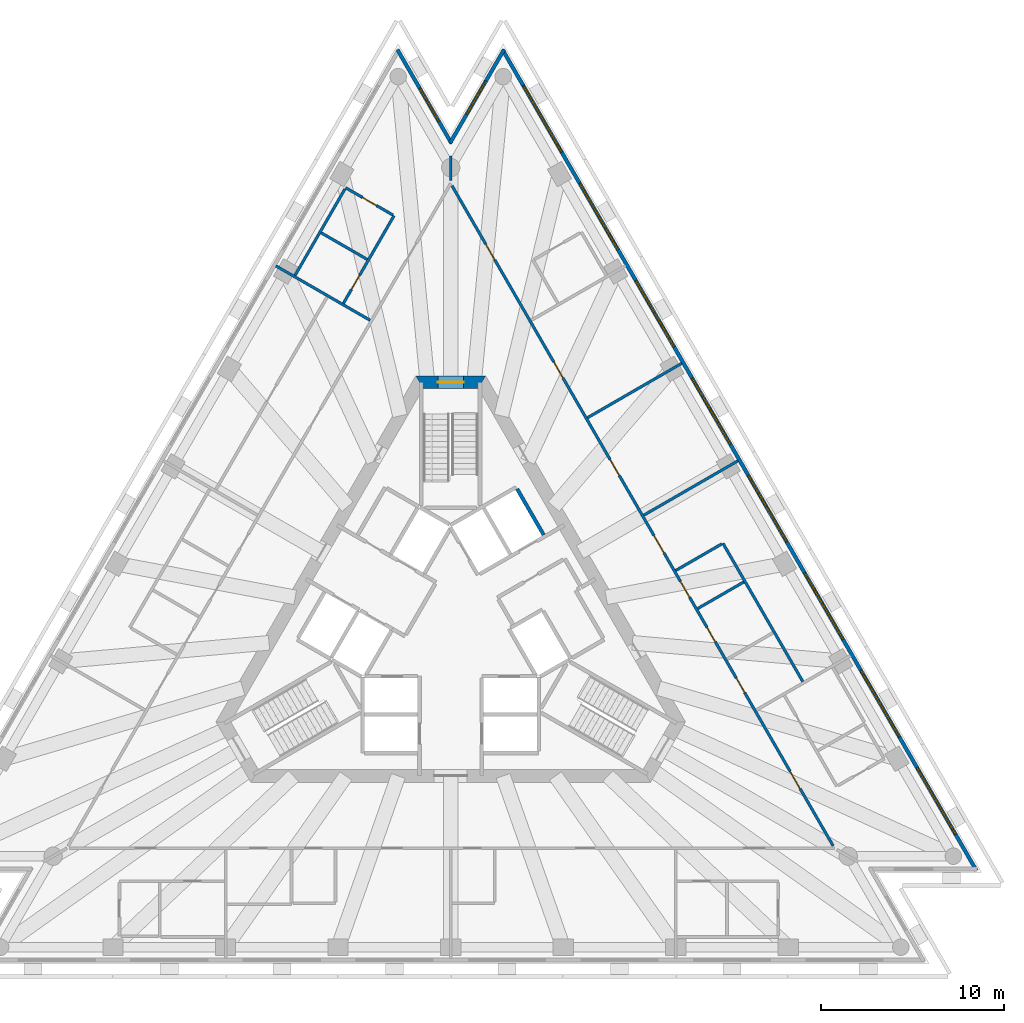
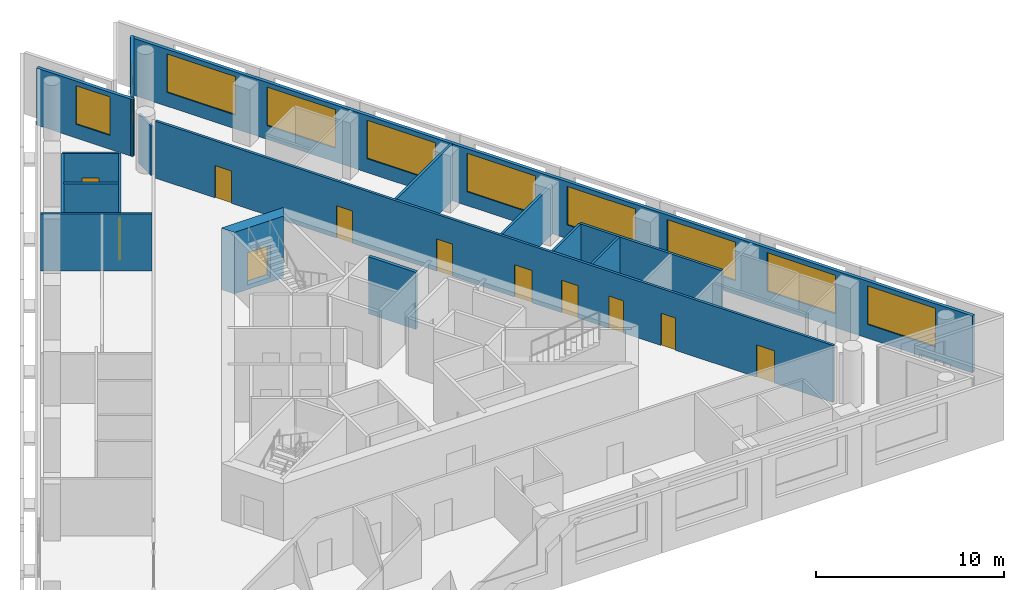
# One storey, part 6 of 9: 17 walls, 11 doors, 10 windows, 21 openings.
"""IFC4 building model written with IfcOpenShell, lengths in metres."""

from ifc_helpers import new_model, si_unit, direction, frame, frame_2d, origin, place, context, subcontext, project, spatial, polyline, rectangle, outline, extrude, material, layer, layer_set, layer_usage, type_object, element, fill, save


model = new_model("IFC4")

# Units and contexts
model_context = context("Model", 3, precision=1e-05, world=origin(), true_north=direction((0.0, 1.0)))
body_context = subcontext(model_context, "Body", "Model", "MODEL_VIEW")
ifc_project = project(units=[si_unit("LENGTHUNIT", "METRE"), si_unit("AREAUNIT", "SQUARE_METRE"), si_unit("VOLUMEUNIT", "CUBIC_METRE"), si_unit("PLANEANGLEUNIT", "RADIAN"), si_unit("MASSUNIT", "GRAM", prefix="KILO")], contexts=[model_context])

# Site, building, storey
site_placement = place(None, origin())
site = spatial("IfcSite", under=ifc_project, at=site_placement, CompositionType="ELEMENT")
building_placement = place(site_placement, origin())
building = spatial("IfcBuilding", under=site, at=building_placement, Name="Triada Interchange Tower", CompositionType="ELEMENT")
storey_placement = place(building_placement, frame((0.0, 0.0, 203.300048828125)))
storey = spatial("IfcBuildingStorey", under=building, at=storey_placement, Name="L47", CompositionType="ELEMENT", Elevation=203.300048828125)

# Wall
ifc_material_1 = material(Name="Concrete C30/37", Category="concrete")
ifc_layer_1 = layer(ifc_material_1, 0.199951171875)
ifc_layer_set_1 = layer_set([ifc_layer_1], Name="CORE WALL 200 EI 120")
wall_type_1 = type_object("IfcWallType", Name="CORE WALL 200 EI 120", PredefinedType="SOLIDWALL", material=ifc_layer_set_1)
wall_1_placement = place(storey_placement, frame((3.6259765625, 7.52001953125, 0.0), z_axis=(0.0, 0.0, 1.0), x_axis=(0.500060147554, -0.865990674793, 0.0)))
element("IfcWall", 1, at=wall_1_placement, inside=storey, type_object=wall_type_1, Name="Wall L47 71", PredefinedType="SOLIDWALL", context=body_context, shape_type="SweptSolid", body=[
    extrude(rectangle(XDim=2.899658203125, YDim=0.199951171875, at=frame_2d((1.44970703125, 0.0))), origin(), (0.0, 0.0, 1.0), 3.699951171875),
])

# Wall, opening, door
ifc_material_2 = material(Name="Concrete C50/60", Category="concrete")
ifc_layer_2 = layer(ifc_material_2, 0.699951171875)
ifc_layer_set_2 = layer_set([ifc_layer_2], Name="Core wall C 700")
wall_type_2 = type_object("IfcWallType", Name="Core wall C 700", PredefinedType="SHEAR", material=ifc_layer_set_2)
wall_2_placement = place(storey_placement, frame((1.702880859375, 13.35009765625, -0.300048828125), z_axis=(0.0, 0.0, 1.0), x_axis=(-1.0, 0.0, 0.0)))
wall_2 = element("IfcWall", 2, at=wall_2_placement, inside=storey, type_object=wall_type_2, Name="Core wall WC01 L47", PredefinedType="SHEAR", context=body_context, shape_type="SweptSolid", body=[
    extrude(outline(polyline([(-0.201904296875, -0.35009765625), (1.703125, -0.35009765625), (3.60791015625, -0.35009765625), (3.2041015625, 0.35009765625), (1.703125, 0.35009765625), (0.201904296875, 0.35009765625), (-0.201904296875, -0.35009765625)])), origin(), (0.0, 0.0, 1.0), 4.0),
])
opening_1_placement = place(wall_2_placement, frame((1.0029296875, 0.0, 0.300048828125)))
opening_1 = element("IfcOpeningElement", 3, at=opening_1_placement, cuts=wall_2, Name="Opening D47-44", PredefinedType="OPENING", context=body_context, shape_type="SweptSolid", body=[
    extrude(rectangle(XDim=1.39990234375, YDim=2.10009765625, at=frame_2d((0.699951171875, 1.050048828125))), frame((0.0, 0.360107421875, 0.0), z_axis=(0.0, -1.0, 0.0), x_axis=(1.0, 0.0, 0.0)), (0.0, 0.0, 1.0), 0.72021484375),
])
ifc_material_3 = material(Name="Steel S235 door leaf", Category="steel")
door_type_1 = type_object("IfcDoorType", Name="STAIR DOOR 1400 EI2 90-C5S200", OperationType="DOUBLE_DOOR_SINGLE_SWING", PredefinedType="DOOR", material=ifc_material_3)
door_1_placement = place(opening_1_placement, origin())
door_1 = element("IfcDoor", 4, at=door_1_placement, inside=storey, type_object=door_type_1, Name="Door D47-44 L47", OperationType="DOUBLE_DOOR_SINGLE_SWING", OverallHeight=2.10009765625, OverallWidth=1.39990234375, PredefinedType="DOOR", context=body_context, shape_type="SweptSolid", body=[
    extrude(rectangle(XDim=1.39990234375, YDim=2.10009765625, at=frame_2d((0.699951171875, 1.050048828125))), frame((0.0, 0.02490234375, 0.0), z_axis=(0.0, -1.0, 0.0), x_axis=(1.0, 0.0, 0.0)), (0.0, 0.0, 1.0), 0.050048828125),
])
fill(opening_1, door_1)

# Wall, openings, windows
ifc_material_4 = material(Name="Cement board")
ifc_layer_3 = layer(ifc_material_4, 0.02001953125, Name="Cement board cladding")
ifc_material_5 = material(Name="Sheathing board")
ifc_layer_4 = layer(ifc_material_5, 0.014892578125, Name="Sheathing board")
ifc_material_6 = material(Name="Mineral wool")
ifc_layer_5 = layer(ifc_material_6, 0.14990234375, Name="Mineral wool between steel studs")
ifc_material_7 = material(Name="Gypsum board")
ifc_layer_6 = layer(ifc_material_7, 0.014892578125, Name="Plasterboard lining")
ifc_layer_set_3 = layer_set([ifc_layer_3, ifc_layer_4, ifc_layer_5, ifc_layer_6], Name="External wall 200")
ifc_layer_usage = layer_usage(ifc_layer_set_3, "AXIS2", "POSITIVE", -0.10009765625)
wall_type_3 = type_object("IfcWallType", Name="External wall 200", PredefinedType="ELEMENTEDWALL", material=ifc_layer_set_3)
wall_3_placement = place(storey_placement, frame((28.7041015625, -13.31103515625, 0.0), z_axis=(0.0, 0.0, 1.0), x_axis=(-0.500010281129, 0.866019467891, 0.0)))
wall_3 = element("IfcWall", 5, at=wall_3_placement, inside=storey, type_object=wall_type_3, material=ifc_layer_usage, Name="External wall L47 NE", PredefinedType="ELEMENTEDWALL", context=body_context, shape_type="SweptSolid", body=[
    extrude(rectangle(XDim=51.7392578125, YDim=0.199951171875, at=frame_2d((25.86962890625, 0.0))), origin(), (0.0, 0.0, 1.0), 3.699951171875),
])
opening_2_placement = place(wall_3_placement, frame((2.27490234375, 0.0, 0.89990234375)))
opening_2 = element("IfcOpeningElement", 6, at=opening_2_placement, cuts=wall_3, Name="Opening WC21", PredefinedType="OPENING", context=body_context, shape_type="SweptSolid", body=[
    extrude(rectangle(XDim=4.199951171875, YDim=2.5, at=frame_2d((2.10009765625, 1.25))), frame((0.0, 0.10986328125, 0.0), z_axis=(0.0, -1.0, 0.0), x_axis=(1.0, 0.0, 0.0)), (0.0, 0.0, 1.0), 0.219970703125),
])
opening_3_placement = place(wall_3_placement, frame((8.4189453125, 0.0, 0.89990234375)))
opening_3 = element("IfcOpeningElement", 7, at=opening_3_placement, cuts=wall_3, Name="Opening WC22", PredefinedType="OPENING", context=body_context, shape_type="SweptSolid", body=[
    extrude(rectangle(XDim=4.199951171875, YDim=2.5, at=frame_2d((2.10009765625, 1.25))), frame((0.0, 0.10986328125, 0.0), z_axis=(0.0, -1.0, 0.0), x_axis=(1.0, 0.0, 0.0)), (0.0, 0.0, 1.0), 0.219970703125),
])
opening_4_placement = place(wall_3_placement, frame((14.56298828125, 0.0, 0.89990234375)))
opening_4 = element("IfcOpeningElement", 8, at=opening_4_placement, cuts=wall_3, Name="Opening WC23", PredefinedType="OPENING", context=body_context, shape_type="SweptSolid", body=[
    extrude(rectangle(XDim=4.199951171875, YDim=2.5, at=frame_2d((2.10009765625, 1.25))), frame((0.0, 0.10986328125, 0.0), z_axis=(0.0, -1.0, 0.0), x_axis=(1.0, 0.0, 0.0)), (0.0, 0.0, 1.0), 0.219970703125),
])
opening_5_placement = place(wall_3_placement, frame((20.70703125, 0.0, 0.89990234375)))
opening_5 = element("IfcOpeningElement", 9, at=opening_5_placement, cuts=wall_3, Name="Opening WC24", PredefinedType="OPENING", context=body_context, shape_type="SweptSolid", body=[
    extrude(rectangle(XDim=4.199951171875, YDim=2.5, at=frame_2d((2.10009765625, 1.25))), frame((0.0, 0.10986328125, 0.0), z_axis=(0.0, -1.0, 0.0), x_axis=(1.0, 0.0, 0.0)), (0.0, 0.0, 1.0), 0.219970703125),
])
opening_6_placement = place(wall_3_placement, frame((26.85205078125, 0.0, 0.89990234375)))
opening_6 = element("IfcOpeningElement", 10, at=opening_6_placement, cuts=wall_3, Name="Opening WC25", PredefinedType="OPENING", context=body_context, shape_type="SweptSolid", body=[
    extrude(rectangle(XDim=4.199951171875, YDim=2.5, at=frame_2d((2.10009765625, 1.25))), frame((0.0, 0.10986328125, 0.0), z_axis=(0.0, -1.0, 0.0), x_axis=(1.0, 0.0, 0.0)), (0.0, 0.0, 1.0), 0.219970703125),
])
opening_7_placement = place(wall_3_placement, frame((32.99609375, 0.0, 0.89990234375)))
opening_7 = element("IfcOpeningElement", 11, at=opening_7_placement, cuts=wall_3, Name="Opening WC26", PredefinedType="OPENING", context=body_context, shape_type="SweptSolid", body=[
    extrude(rectangle(XDim=4.199951171875, YDim=2.5, at=frame_2d((2.10009765625, 1.25))), frame((0.0, 0.10986328125, 0.0), z_axis=(0.0, -1.0, 0.0), x_axis=(1.0, 0.0, 0.0)), (0.0, 0.0, 1.0), 0.219970703125),
])
opening_8_placement = place(wall_3_placement, frame((39.139892578125, 0.0, 0.89990234375)))
opening_8 = element("IfcOpeningElement", 12, at=opening_8_placement, cuts=wall_3, Name="Opening WC27", PredefinedType="OPENING", context=body_context, shape_type="SweptSolid", body=[
    extrude(rectangle(XDim=4.199951171875, YDim=2.5, at=frame_2d((2.10009765625, 1.25))), frame((0.0, 0.10986328125, 0.0), z_axis=(0.0, -1.0, 0.0), x_axis=(1.0, 0.0, 0.0)), (0.0, 0.0, 1.0), 0.219970703125),
])
opening_9_placement = place(wall_3_placement, frame((45.283935546875, 0.0, 0.89990234375)))
opening_9 = element("IfcOpeningElement", 13, at=opening_9_placement, cuts=wall_3, Name="Opening WC28", PredefinedType="OPENING", context=body_context, shape_type="SweptSolid", body=[
    extrude(rectangle(XDim=4.199951171875, YDim=2.5, at=frame_2d((2.10009765625, 1.25))), frame((0.0, 0.10986328125, 0.0), z_axis=(0.0, -1.0, 0.0), x_axis=(1.0, 0.0, 0.0)), (0.0, 0.0, 1.0), 0.219970703125),
])
ifc_material_8 = material(Name="Double glazed aluminium window", Category="aluminium")
window_type_1 = type_object("IfcWindowType", Name="Ribbon window C face", PartitioningType="SINGLE_PANEL", PredefinedType="WINDOW", material=ifc_material_8)
window_1_placement = place(opening_2_placement, origin())
window_1 = element("IfcWindow", 14, at=window_1_placement, inside=storey, type_object=window_type_1, Name="Window L47 NE 1", OverallHeight=2.5, OverallWidth=4.199951171875, PartitioningType="SINGLE_PANEL", PredefinedType="WINDOW", context=body_context, shape_type="SweptSolid", body=[
    extrude(rectangle(XDim=4.199951171875, YDim=2.5, at=frame_2d((2.10009765625, 1.25))), frame((0.0, 0.030029296875, 0.0), z_axis=(0.0, -1.0, 0.0), x_axis=(1.0, 0.0, 0.0)), (0.0, 0.0, 1.0), 0.06005859375),
])
fill(opening_2, window_1)
window_2_placement = place(opening_3_placement, origin())
window_2 = element("IfcWindow", 15, at=window_2_placement, inside=storey, type_object=window_type_1, Name="Window L47 NE 2", OverallHeight=2.5, OverallWidth=4.199951171875, PartitioningType="SINGLE_PANEL", PredefinedType="WINDOW", context=body_context, shape_type="SweptSolid", body=[
    extrude(rectangle(XDim=4.199951171875, YDim=2.5, at=frame_2d((2.10009765625, 1.25))), frame((0.0, 0.030029296875, 0.0), z_axis=(0.0, -1.0, 0.0), x_axis=(1.0, 0.0, 0.0)), (0.0, 0.0, 1.0), 0.06005859375),
])
fill(opening_3, window_2)
window_3_placement = place(opening_4_placement, origin())
window_3 = element("IfcWindow", 16, at=window_3_placement, inside=storey, type_object=window_type_1, Name="Window L47 NE 3", OverallHeight=2.5, OverallWidth=4.199951171875, PartitioningType="SINGLE_PANEL", PredefinedType="WINDOW", context=body_context, shape_type="SweptSolid", body=[
    extrude(rectangle(XDim=4.199951171875, YDim=2.5, at=frame_2d((2.10009765625, 1.25))), frame((0.0, 0.030029296875, 0.0), z_axis=(0.0, -1.0, 0.0), x_axis=(1.0, 0.0, 0.0)), (0.0, 0.0, 1.0), 0.06005859375),
])
fill(opening_4, window_3)
window_4_placement = place(opening_5_placement, origin())
window_4 = element("IfcWindow", 17, at=window_4_placement, inside=storey, type_object=window_type_1, Name="Window L47 NE 4", OverallHeight=2.5, OverallWidth=4.199951171875, PartitioningType="SINGLE_PANEL", PredefinedType="WINDOW", context=body_context, shape_type="SweptSolid", body=[
    extrude(rectangle(XDim=4.199951171875, YDim=2.5, at=frame_2d((2.10009765625, 1.25))), frame((0.0, 0.030029296875, 0.0), z_axis=(0.0, -1.0, 0.0), x_axis=(1.0, 0.0, 0.0)), (0.0, 0.0, 1.0), 0.06005859375),
])
fill(opening_5, window_4)
window_5_placement = place(opening_6_placement, origin())
window_5 = element("IfcWindow", 18, at=window_5_placement, inside=storey, type_object=window_type_1, Name="Window L47 NE 5", OverallHeight=2.5, OverallWidth=4.199951171875, PartitioningType="SINGLE_PANEL", PredefinedType="WINDOW", context=body_context, shape_type="SweptSolid", body=[
    extrude(rectangle(XDim=4.199951171875, YDim=2.5, at=frame_2d((2.10009765625, 1.25))), frame((0.0, 0.030029296875, 0.0), z_axis=(0.0, -1.0, 0.0), x_axis=(1.0, 0.0, 0.0)), (0.0, 0.0, 1.0), 0.06005859375),
])
fill(opening_6, window_5)
window_6_placement = place(opening_7_placement, origin())
window_6 = element("IfcWindow", 19, at=window_6_placement, inside=storey, type_object=window_type_1, Name="Window L47 NE 6", OverallHeight=2.5, OverallWidth=4.199951171875, PartitioningType="SINGLE_PANEL", PredefinedType="WINDOW", context=body_context, shape_type="SweptSolid", body=[
    extrude(rectangle(XDim=4.199951171875, YDim=2.5, at=frame_2d((2.10009765625, 1.25))), frame((0.0, 0.030029296875, 0.0), z_axis=(0.0, -1.0, 0.0), x_axis=(1.0, 0.0, 0.0)), (0.0, 0.0, 1.0), 0.06005859375),
])
fill(opening_7, window_6)
window_7_placement = place(opening_8_placement, origin())
window_7 = element("IfcWindow", 20, at=window_7_placement, inside=storey, type_object=window_type_1, Name="Window L47 NE 7", OverallHeight=2.5, OverallWidth=4.199951171875, PartitioningType="SINGLE_PANEL", PredefinedType="WINDOW", context=body_context, shape_type="SweptSolid", body=[
    extrude(rectangle(XDim=4.199951171875, YDim=2.5, at=frame_2d((2.10009765625, 1.25))), frame((0.0, 0.030029296875, 0.0), z_axis=(0.0, -1.0, 0.0), x_axis=(1.0, 0.0, 0.0)), (0.0, 0.0, 1.0), 0.06005859375),
])
fill(opening_8, window_7)
window_8_placement = place(opening_9_placement, origin())
window_8 = element("IfcWindow", 21, at=window_8_placement, inside=storey, type_object=window_type_1, Name="Window L47 NE 8", OverallHeight=2.5, OverallWidth=4.199951171875, PartitioningType="SINGLE_PANEL", PredefinedType="WINDOW", context=body_context, shape_type="SweptSolid", body=[
    extrude(rectangle(XDim=4.199951171875, YDim=2.5, at=frame_2d((2.10009765625, 1.25))), frame((0.0, 0.030029296875, 0.0), z_axis=(0.0, -1.0, 0.0), x_axis=(1.0, 0.0, 0.0)), (0.0, 0.0, 1.0), 0.06005859375),
])
fill(opening_9, window_8)

# Wall, opening, window
wall_4_placement = place(storey_placement, frame((2.9140625, 31.512939453125, 0.0), z_axis=(0.0, 0.0, 1.0), x_axis=(-0.500061696128, -0.865989780578, 0.0)))
wall_4 = element("IfcWall", 22, at=wall_4_placement, inside=storey, type_object=wall_type_3, material=ifc_layer_usage, Name="External wall L47 N-1", PredefinedType="ELEMENTEDWALL", context=body_context, shape_type="SweptSolid", body=[
    extrude(rectangle(XDim=5.897216796875, YDim=0.199951171875, at=frame_2d((2.94873046875, 0.0))), origin(), (0.0, 0.0, 1.0), 3.699951171875),
])
opening_10_placement = place(wall_4_placement, frame((1.989990234375, 0.0, 0.89990234375)))
opening_10 = element("IfcOpeningElement", 23, at=opening_10_placement, cuts=wall_4, Name="Opening WC29", PredefinedType="OPENING", context=body_context, shape_type="SweptSolid", body=[
    extrude(rectangle(XDim=2.10009765625, YDim=2.5, at=frame_2d((1.050048828125, 1.25))), frame((0.0, 0.10986328125, 0.0), z_axis=(0.0, -1.0, 0.0), x_axis=(1.0, 0.0, 0.0)), (0.0, 0.0, 1.0), 0.219970703125),
])
window_type_2 = type_object("IfcWindowType", Name="Ribbon window C pocket", PartitioningType="SINGLE_PANEL", PredefinedType="WINDOW", material=ifc_material_8)
window_9_placement = place(opening_10_placement, origin())
window_9 = element("IfcWindow", 24, at=window_9_placement, inside=storey, type_object=window_type_2, Name="Window L47 N-1 1", OverallHeight=2.5, OverallWidth=2.10009765625, PartitioningType="SINGLE_PANEL", PredefinedType="WINDOW", context=body_context, shape_type="SweptSolid", body=[
    extrude(rectangle(XDim=2.10009765625, YDim=2.5, at=frame_2d((1.050048828125, 1.25))), frame((0.0, 0.030029296875, 0.0), z_axis=(0.0, -1.0, 0.0), x_axis=(1.0, 0.0, 0.0)), (0.0, 0.0, 1.0), 0.06005859375),
])
fill(opening_10, window_9)

wall_5_placement = place(storey_placement, frame((0.044921875, 26.388916015625, 0.0), z_axis=(0.0, 0.0, 1.0), x_axis=(-0.500043768782, 0.866000132391, 0.0)))
wall_5 = element("IfcWall", 25, at=wall_5_placement, inside=storey, type_object=wall_type_3, material=ifc_layer_usage, Name="External wall L47 N-2", PredefinedType="ELEMENTEDWALL", context=body_context, shape_type="SweptSolid", body=[
    extrude(rectangle(XDim=5.8974609375, YDim=0.199951171875, at=frame_2d((2.94873046875, 0.0))), origin(), (0.0, 0.0, 1.0), 3.699951171875),
])
opening_11_placement = place(wall_5_placement, frame((1.389892578125, 0.0, 0.89990234375)))
opening_11 = element("IfcOpeningElement", 26, at=opening_11_placement, cuts=wall_5, Name="Opening WC30", PredefinedType="OPENING", context=body_context, shape_type="SweptSolid", body=[
    extrude(rectangle(XDim=2.10009765625, YDim=2.5, at=frame_2d((1.050048828125, 1.25))), frame((0.0, 0.10986328125, 0.0), z_axis=(0.0, -1.0, 0.0), x_axis=(1.0, 0.0, 0.0)), (0.0, 0.0, 1.0), 0.219970703125),
])
window_10_placement = place(opening_11_placement, origin())
window_10 = element("IfcWindow", 27, at=window_10_placement, inside=storey, type_object=window_type_2, Name="Window L47 N-2 1", OverallHeight=2.5, OverallWidth=2.10009765625, PartitioningType="SINGLE_PANEL", PredefinedType="WINDOW", context=body_context, shape_type="SweptSolid", body=[
    extrude(rectangle(XDim=2.10009765625, YDim=2.5, at=frame_2d((1.050048828125, 1.25))), frame((0.0, 0.030029296875, 0.0), z_axis=(0.0, -1.0, 0.0), x_axis=(1.0, 0.0, 0.0)), (0.0, 0.0, 1.0), 0.06005859375),
])
fill(opening_11, window_10)

# Walls
ifc_material_9 = material(Name="Gypsum board partition")
ifc_layer_7 = layer(ifc_material_9, 0.14990234375)
ifc_layer_set_4 = layer_set([ifc_layer_7], Name="PARTITION 150 EI 180")
wall_type_4 = type_object("IfcWallType", Name="PARTITION 150 EI 180", PredefinedType="PARTITIONING", material=ifc_layer_set_4)
wall_6_placement = place(storey_placement, frame((10.5439453125, 6.0869140625, 0.0), z_axis=(0.0, 0.0, 1.0), x_axis=(0.866016753976, 0.500014981608, 0.0)))
element("IfcWall", 28, at=wall_6_placement, inside=storey, type_object=wall_type_4, Name="Wall L47 2", PredefinedType="PARTITIONING", context=body_context, shape_type="SweptSolid", body=[
    extrude(rectangle(XDim=5.947998046875, YDim=0.14990234375, at=frame_2d((2.97412109375, 0.0))), origin(), (0.0, 0.0, 1.0), 3.199951171875),
])
wall_7_placement = place(storey_placement, frame((-9.550048828125, 19.702880859375, 0.0), z_axis=(0.0, 0.0, 1.0), x_axis=(0.866064581528, -0.499932136017, 0.0)))
element("IfcWall", 29, at=wall_7_placement, inside=storey, type_object=wall_type_4, Name="Wall L47 15", PredefinedType="PARTITIONING", context=body_context, shape_type="SweptSolid", body=[
    extrude(rectangle(XDim=5.946533203125, YDim=0.14990234375, at=frame_2d((2.97314453125, 0.0))), origin(), (0.0, 0.0, 1.0), 3.699951171875),
])
wall_8_placement = place(storey_placement, frame((0.0, 24.35009765625, 0.0), z_axis=(0.0, 0.0, 1.0), x_axis=(0.0, 1.0, 0.0)))
element("IfcWall", 30, at=wall_8_placement, inside=storey, type_object=wall_type_4, Name="Wall L47 20", PredefinedType="PARTITIONING", context=body_context, shape_type="SweptSolid", body=[
    extrude(rectangle(XDim=1.3369140625, YDim=0.14990234375, at=frame_2d((0.66845703125, 0.0))), origin(), (0.0, 0.0, 1.0), 3.199951171875),
])

# Wall, openings, doors
wall_9_placement = place(storey_placement, frame((0.074951171875, 24.070068359375, 0.0), z_axis=(0.0, 0.0, 1.0), x_axis=(0.500006834213, -0.866021458014, 0.0)))
wall_9 = element("IfcWall", 31, at=wall_9_placement, inside=storey, type_object=wall_type_4, Name="Wall L47 22", PredefinedType="PARTITIONING", context=body_context, shape_type="SweptSolid", body=[
    extrude(rectangle(XDim=41.61572265625, YDim=0.14990234375, at=frame_2d((20.807861328125, 0.0))), origin(), (0.0, 0.0, 1.0), 3.699951171875),
])
opening_12_placement = place(wall_9_placement, frame((36.9150390625, 0.0, 0.0)))
opening_12 = element("IfcOpeningElement", 32, at=opening_12_placement, cuts=wall_9, Name="Opening D47-22", PredefinedType="OPENING", context=body_context, shape_type="SweptSolid", body=[
    extrude(rectangle(XDim=1.10009765625, YDim=2.10009765625, at=frame_2d((0.550048828125, 1.050048828125))), frame((0.0, 0.0849609375, 0.0), z_axis=(0.0, -1.0, 0.0), x_axis=(1.0, 0.0, 0.0)), (0.0, 0.0, 1.0), 0.169921875),
])
opening_13_placement = place(wall_9_placement, frame((22.0458984375, 0.0, 0.0)))
opening_13 = element("IfcOpeningElement", 33, at=opening_13_placement, cuts=wall_9, Name="Opening D47-25", PredefinedType="OPENING", context=body_context, shape_type="SweptSolid", body=[
    extrude(rectangle(XDim=1.10009765625, YDim=2.10009765625, at=frame_2d((0.550048828125, 1.050048828125))), frame((0.0, 0.0849609375, 0.0), z_axis=(0.0, -1.0, 0.0), x_axis=(1.0, 0.0, 0.0)), (0.0, 0.0, 1.0), 0.169921875),
])
opening_14_placement = place(wall_9_placement, frame((31.0458984375, 0.0, 0.0)))
opening_14 = element("IfcOpeningElement", 34, at=opening_14_placement, cuts=wall_9, Name="Opening D47-26", PredefinedType="OPENING", context=body_context, shape_type="SweptSolid", body=[
    extrude(rectangle(XDim=0.89990234375, YDim=2.10009765625, at=frame_2d((0.449951171875, 1.050048828125))), frame((0.0, 0.0849609375, 0.0), z_axis=(0.0, -1.0, 0.0), x_axis=(1.0, 0.0, 0.0)), (0.0, 0.0, 1.0), 0.169921875),
])
opening_15_placement = place(wall_9_placement, frame((27.845947265625, 0.0, 0.0)))
opening_15 = element("IfcOpeningElement", 35, at=opening_15_placement, cuts=wall_9, Name="Opening D47-27", PredefinedType="OPENING", context=body_context, shape_type="SweptSolid", body=[
    extrude(rectangle(XDim=0.89990234375, YDim=2.10009765625, at=frame_2d((0.449951171875, 1.050048828125))), frame((0.0, 0.0849609375, 0.0), z_axis=(0.0, -1.0, 0.0), x_axis=(1.0, 0.0, 0.0)), (0.0, 0.0, 1.0), 0.169921875),
])
opening_16_placement = place(wall_9_placement, frame((24.946044921875, 0.0, 0.0)))
opening_16 = element("IfcOpeningElement", 36, at=opening_16_placement, cuts=wall_9, Name="Opening D47-28", PredefinedType="OPENING", context=body_context, shape_type="SweptSolid", body=[
    extrude(rectangle(XDim=1.0, YDim=2.10009765625, at=frame_2d((0.5, 1.050048828125))), frame((0.0, 0.0849609375, 0.0), z_axis=(0.0, -1.0, 0.0), x_axis=(1.0, 0.0, 0.0)), (0.0, 0.0, 1.0), 0.169921875),
])
opening_17_placement = place(wall_9_placement, frame((17.258056640625, 0.0, 0.0)))
opening_17 = element("IfcOpeningElement", 37, at=opening_17_placement, cuts=wall_9, Name="Opening D47-29", PredefinedType="OPENING", context=body_context, shape_type="SweptSolid", body=[
    extrude(rectangle(XDim=1.0, YDim=2.10009765625, at=frame_2d((0.5, 1.050048828125))), frame((0.0, 0.0849609375, 0.0), z_axis=(0.0, -1.0, 0.0), x_axis=(1.0, 0.0, 0.0)), (0.0, 0.0, 1.0), 0.169921875),
])
opening_18_placement = place(wall_9_placement, frame((11.114013671875, 0.0, 0.0)))
opening_18 = element("IfcOpeningElement", 38, at=opening_18_placement, cuts=wall_9, Name="Opening D47-30", PredefinedType="OPENING", context=body_context, shape_type="SweptSolid", body=[
    extrude(rectangle(XDim=1.0, YDim=2.10009765625, at=frame_2d((0.5, 1.050048828125))), frame((0.0, 0.0849609375, 0.0), z_axis=(0.0, -1.0, 0.0), x_axis=(1.0, 0.0, 0.0)), (0.0, 0.0, 1.0), 0.169921875),
])
opening_19_placement = place(wall_9_placement, frame((3.6689453125, 0.0, 0.0)))
opening_19 = element("IfcOpeningElement", 39, at=opening_19_placement, cuts=wall_9, Name="Opening D47-31", PredefinedType="OPENING", context=body_context, shape_type="SweptSolid", body=[
    extrude(rectangle(XDim=1.0, YDim=2.10009765625, at=frame_2d((0.5, 1.050048828125))), frame((0.0, 0.0849609375, 0.0), z_axis=(0.0, -1.0, 0.0), x_axis=(1.0, 0.0, 0.0)), (0.0, 0.0, 1.0), 0.169921875),
])
door_type_2 = type_object("IfcDoorType", Name="ROOM DOOR 1000 EI2 90-C5S200", OperationType="NOTDEFINED", PredefinedType="DOOR", material=ifc_material_3)
door_2_placement = place(opening_16_placement, origin())
door_2 = element("IfcDoor", 40, at=door_2_placement, inside=storey, type_object=door_type_2, Name="Door D47-28 L47", OperationType="SINGLE_SWING_RIGHT", OverallHeight=2.10009765625, OverallWidth=1.0, PredefinedType="DOOR", context=body_context, shape_type="SweptSolid", body=[
    extrude(rectangle(XDim=1.0, YDim=2.10009765625, at=frame_2d((0.5, 1.050048828125))), frame((0.0, 0.02490234375, 0.0), z_axis=(0.0, -1.0, 0.0), x_axis=(1.0, 0.0, 0.0)), (0.0, 0.0, 1.0), 0.050048828125),
])
fill(opening_16, door_2)
door_3_placement = place(opening_17_placement, origin())
door_3 = element("IfcDoor", 41, at=door_3_placement, inside=storey, type_object=door_type_2, Name="Door D47-29 L47", OperationType="SINGLE_SWING_LEFT", OverallHeight=2.10009765625, OverallWidth=1.0, PredefinedType="DOOR", context=body_context, shape_type="SweptSolid", body=[
    extrude(rectangle(XDim=1.0, YDim=2.10009765625, at=frame_2d((0.5, 1.050048828125))), frame((0.0, 0.02490234375, 0.0), z_axis=(0.0, -1.0, 0.0), x_axis=(1.0, 0.0, 0.0)), (0.0, 0.0, 1.0), 0.050048828125),
])
fill(opening_17, door_3)
door_4_placement = place(opening_18_placement, origin())
door_4 = element("IfcDoor", 42, at=door_4_placement, inside=storey, type_object=door_type_2, Name="Door D47-30 L47", OperationType="SINGLE_SWING_LEFT", OverallHeight=2.10009765625, OverallWidth=1.0, PredefinedType="DOOR", context=body_context, shape_type="SweptSolid", body=[
    extrude(rectangle(XDim=1.0, YDim=2.10009765625, at=frame_2d((0.5, 1.050048828125))), frame((0.0, 0.02490234375, 0.0), z_axis=(0.0, -1.0, 0.0), x_axis=(1.0, 0.0, 0.0)), (0.0, 0.0, 1.0), 0.050048828125),
])
fill(opening_18, door_4)
door_5_placement = place(opening_19_placement, origin())
door_5 = element("IfcDoor", 43, at=door_5_placement, inside=storey, type_object=door_type_2, Name="Door D47-31 L47", OperationType="SINGLE_SWING_LEFT", OverallHeight=2.10009765625, OverallWidth=1.0, PredefinedType="DOOR", context=body_context, shape_type="SweptSolid", body=[
    extrude(rectangle(XDim=1.0, YDim=2.10009765625, at=frame_2d((0.5, 1.050048828125))), frame((0.0, 0.02490234375, 0.0), z_axis=(0.0, -1.0, 0.0), x_axis=(1.0, 0.0, 0.0)), (0.0, 0.0, 1.0), 0.050048828125),
])
fill(opening_19, door_5)
door_type_3 = type_object("IfcDoorType", Name="ROOM DOOR 900 EI2 90-C5S200", OperationType="NOTDEFINED", PredefinedType="DOOR", material=ifc_material_3)
door_6_placement = place(opening_14_placement, origin())
door_6 = element("IfcDoor", 44, at=door_6_placement, inside=storey, type_object=door_type_3, Name="Door D47-26 L47", OperationType="SINGLE_SWING_RIGHT", OverallHeight=2.10009765625, OverallWidth=0.89990234375, PredefinedType="DOOR", context=body_context, shape_type="SweptSolid", body=[
    extrude(rectangle(XDim=0.89990234375, YDim=2.10009765625, at=frame_2d((0.449951171875, 1.050048828125))), frame((0.0, 0.02490234375, 0.0), z_axis=(0.0, -1.0, 0.0), x_axis=(1.0, 0.0, 0.0)), (0.0, 0.0, 1.0), 0.050048828125),
])
fill(opening_14, door_6)
door_7_placement = place(opening_15_placement, origin())
door_7 = element("IfcDoor", 45, at=door_7_placement, inside=storey, type_object=door_type_3, Name="Door D47-27 L47", OperationType="SINGLE_SWING_RIGHT", OverallHeight=2.10009765625, OverallWidth=0.89990234375, PredefinedType="DOOR", context=body_context, shape_type="SweptSolid", body=[
    extrude(rectangle(XDim=0.89990234375, YDim=2.10009765625, at=frame_2d((0.449951171875, 1.050048828125))), frame((0.0, 0.02490234375, 0.0), z_axis=(0.0, -1.0, 0.0), x_axis=(1.0, 0.0, 0.0)), (0.0, 0.0, 1.0), 0.050048828125),
])
fill(opening_15, door_7)
door_type_4 = type_object("IfcDoorType", Name="TENANCY ENTRANCE DOOR 1100 EI2 90-C5S200", OperationType="NOTDEFINED", PredefinedType="DOOR", material=ifc_material_3)
door_8_placement = place(opening_12_placement, origin())
door_8 = element("IfcDoor", 46, at=door_8_placement, inside=storey, type_object=door_type_4, Name="Door D47-22 L47", OperationType="SINGLE_SWING_RIGHT", OverallHeight=2.10009765625, OverallWidth=1.10009765625, PredefinedType="DOOR", context=body_context, shape_type="SweptSolid", body=[
    extrude(rectangle(XDim=1.10009765625, YDim=2.10009765625, at=frame_2d((0.550048828125, 1.050048828125))), frame((0.0, 0.02490234375, 0.0), z_axis=(0.0, -1.0, 0.0), x_axis=(1.0, 0.0, 0.0)), (0.0, 0.0, 1.0), 0.050048828125),
])
fill(opening_12, door_8)
door_9_placement = place(opening_13_placement, origin())
door_9 = element("IfcDoor", 47, at=door_9_placement, inside=storey, type_object=door_type_4, Name="Door D47-25 L47", OperationType="SINGLE_SWING_LEFT", OverallHeight=2.10009765625, OverallWidth=1.10009765625, PredefinedType="DOOR", context=body_context, shape_type="SweptSolid", body=[
    extrude(rectangle(XDim=1.10009765625, YDim=2.10009765625, at=frame_2d((0.550048828125, 1.050048828125))), frame((0.0, 0.02490234375, 0.0), z_axis=(0.0, -1.0, 0.0), x_axis=(1.0, 0.0, 0.0)), (0.0, 0.0, 1.0), 0.050048828125),
])
fill(opening_13, door_9)

# Walls
wall_10_placement = place(storey_placement, frame((7.471923828125, 11.408935546875, 0.0), z_axis=(0.0, 0.0, 1.0), x_axis=(0.866046805426, 0.499962929437, 0.0)))
element("IfcWall", 48, at=wall_10_placement, inside=storey, type_object=wall_type_4, Name="Wall L47 24", PredefinedType="PARTITIONING", context=body_context, shape_type="SweptSolid", body=[
    extrude(rectangle(XDim=5.94677734375, YDim=0.14990234375, at=frame_2d((2.973388671875, 0.0))), origin(), (0.0, 0.0, 1.0), 3.699951171875),
])
wall_11_placement = place(storey_placement, frame((14.864990234375, 4.553955078125, 0.0), z_axis=(0.0, 0.0, 1.0), x_axis=(0.500054279689, -0.865994063124, 0.0)))
element("IfcWall", 49, at=wall_11_placement, inside=storey, type_object=wall_type_4, Name="Wall L47 25", PredefinedType="PARTITIONING", context=body_context, shape_type="SweptSolid", body=[
    extrude(rectangle(XDim=8.72509765625, YDim=0.14990234375, at=frame_2d((4.362548828125, 0.0))), origin(), (0.0, 0.0, 1.0), 3.699951171875),
])
wall_12_placement = place(storey_placement, frame((12.2880859375, 3.06591796875, 0.0), z_axis=(0.0, 0.0, 1.0), x_axis=(0.865976813117, 0.500084152062, 0.0)))
element("IfcWall", 50, at=wall_12_placement, inside=storey, type_object=wall_type_4, Name="Wall L47 26", PredefinedType="PARTITIONING", context=body_context, shape_type="SweptSolid", body=[
    extrude(rectangle(XDim=2.90185546875, YDim=0.14990234375, at=frame_2d((1.450927734375, 0.0))), origin(), (0.0, 0.0, 1.0), 3.699951171875),
])
wall_13_placement = place(storey_placement, frame((13.488037109375, 0.988037109375, 0.0), z_axis=(0.0, 0.0, 1.0), x_axis=(0.866158966803, 0.499768590677, 0.0)))
element("IfcWall", 51, at=wall_13_placement, inside=storey, type_object=wall_type_4, Name="Wall L47 28", PredefinedType="PARTITIONING", context=body_context, shape_type="SweptSolid", body=[
    extrude(rectangle(XDim=2.901123046875, YDim=0.14990234375, at=frame_2d((1.45068359375, 0.0))), origin(), (0.0, 0.0, 1.0), 3.699951171875),
])

# Wall, opening, door
ifc_layer_8 = layer(ifc_material_9, 0.14990234375)
ifc_layer_set_5 = layer_set([ifc_layer_8], Name="PARTITION 150 EI 90")
wall_type_5 = type_object("IfcWallType", Name="PARTITION 150 EI 90", PredefinedType="PARTITIONING", material=ifc_layer_set_5)
wall_14_placement = place(storey_placement, frame((-5.85595703125, 17.656982421875, 0.0), z_axis=(0.0, 0.0, 1.0), x_axis=(0.499917542299, 0.866073005526, 0.0)))
wall_14 = element("IfcWall", 52, at=wall_14_placement, inside=storey, type_object=wall_type_5, Name="Wall L47 39", PredefinedType="PARTITIONING", context=body_context, shape_type="SweptSolid", body=[
    extrude(rectangle(XDim=5.52490234375, YDim=0.14990234375, at=frame_2d((2.762451171875, 0.0))), origin(), (0.0, 0.0, 1.0), 3.699951171875),
])
opening_20_placement = place(wall_14_placement, frame((0.875, 0.0, 0.0)))
opening_20 = element("IfcOpeningElement", 53, at=opening_20_placement, cuts=wall_14, Name="Opening D47-34", PredefinedType="OPENING", context=body_context, shape_type="SweptSolid", body=[
    extrude(rectangle(XDim=0.89990234375, YDim=2.10009765625, at=frame_2d((0.449951171875, 1.050048828125))), frame((0.0, 0.0849609375, 0.0), z_axis=(0.0, -1.0, 0.0), x_axis=(1.0, 0.0, 0.0)), (0.0, 0.0, 1.0), 0.169921875),
])
door_type_5 = type_object("IfcDoorType", Name="ROOM DOOR 900 EI2 45-C5S200", OperationType="NOTDEFINED", PredefinedType="DOOR", material=ifc_material_3)
door_10_placement = place(opening_20_placement, origin())
door_10 = element("IfcDoor", 54, at=door_10_placement, inside=storey, type_object=door_type_5, Name="Door D47-34 L47", OperationType="SINGLE_SWING_LEFT", OverallHeight=2.10009765625, OverallWidth=0.89990234375, PredefinedType="DOOR", context=body_context, shape_type="SweptSolid", body=[
    extrude(rectangle(XDim=0.89990234375, YDim=2.10009765625, at=frame_2d((0.449951171875, 1.050048828125))), frame((0.0, 0.02490234375, 0.0), z_axis=(0.0, -1.0, 0.0), x_axis=(1.0, 0.0, 0.0)), (0.0, 0.0, 1.0), 0.050048828125),
])
fill(opening_20, door_10)

wall_15_placement = place(storey_placement, frame((-5.736083984375, 23.967041015625, 0.0), z_axis=(0.0, 0.0, 1.0), x_axis=(0.866007976609, -0.500030183538, 0.0)))
wall_15 = element("IfcWall", 55, at=wall_15_placement, inside=storey, type_object=wall_type_5, Name="Wall L47 40", PredefinedType="PARTITIONING", context=body_context, shape_type="SweptSolid", body=[
    extrude(rectangle(XDim=2.975830078125, YDim=0.14990234375, at=frame_2d((1.48779296875, 0.0))), origin(), (0.0, 0.0, 1.0), 3.699951171875),
])
opening_21_placement = place(wall_15_placement, frame((1.050048828125, 0.0, 0.0)))
opening_21 = element("IfcOpeningElement", 56, at=opening_21_placement, cuts=wall_15, Name="Opening D47-35", PredefinedType="OPENING", context=body_context, shape_type="SweptSolid", body=[
    extrude(rectangle(XDim=0.89990234375, YDim=2.10009765625, at=frame_2d((0.449951171875, 1.050048828125))), frame((0.0, 0.0849609375, 0.0), z_axis=(0.0, -1.0, 0.0), x_axis=(1.0, 0.0, 0.0)), (0.0, 0.0, 1.0), 0.169921875),
])
door_11_placement = place(opening_21_placement, origin())
door_11 = element("IfcDoor", 57, at=door_11_placement, inside=storey, type_object=door_type_5, Name="Door D47-35 L47", OperationType="SINGLE_SWING_RIGHT", OverallHeight=2.10009765625, OverallWidth=0.89990234375, PredefinedType="DOOR", context=body_context, shape_type="SweptSolid", body=[
    extrude(rectangle(XDim=0.89990234375, YDim=2.10009765625, at=frame_2d((0.449951171875, 1.050048828125))), frame((0.0, 0.02490234375, 0.0), z_axis=(0.0, -1.0, 0.0), x_axis=(1.0, 0.0, 0.0)), (0.0, 0.0, 1.0), 0.050048828125),
])
fill(opening_21, door_11)

# Walls
wall_16_placement = place(storey_placement, frame((-8.498046875, 19.181884765625, 0.0), z_axis=(0.0, 0.0, 1.0), x_axis=(0.499983534837, 0.866034909742, 0.0)))
element("IfcWall", 58, at=wall_16_placement, inside=storey, type_object=wall_type_5, Name="Wall L47 41", PredefinedType="PARTITIONING", context=body_context, shape_type="SweptSolid", body=[
    extrude(rectangle(XDim=5.450439453125, YDim=0.14990234375, at=frame_2d((2.72509765625, 0.0))), origin(), (0.0, 0.0, 1.0), 3.699951171875),
])
wall_17_placement = place(storey_placement, frame((-7.071044921875, 21.5048828125, 0.0), z_axis=(0.0, 0.0, 1.0), x_axis=(0.865929066901, -0.500166823267, 0.0)))
element("IfcWall", 59, at=wall_17_placement, inside=storey, type_object=wall_type_5, Name="Wall L47 42", PredefinedType="PARTITIONING", context=body_context, shape_type="SweptSolid", body=[
    extrude(rectangle(XDim=2.90087890625, YDim=0.14990234375, at=frame_2d((1.450439453125, 0.0))), origin(), (0.0, 0.0, 1.0), 3.699951171875),
])

save(model, "model.ifc")
